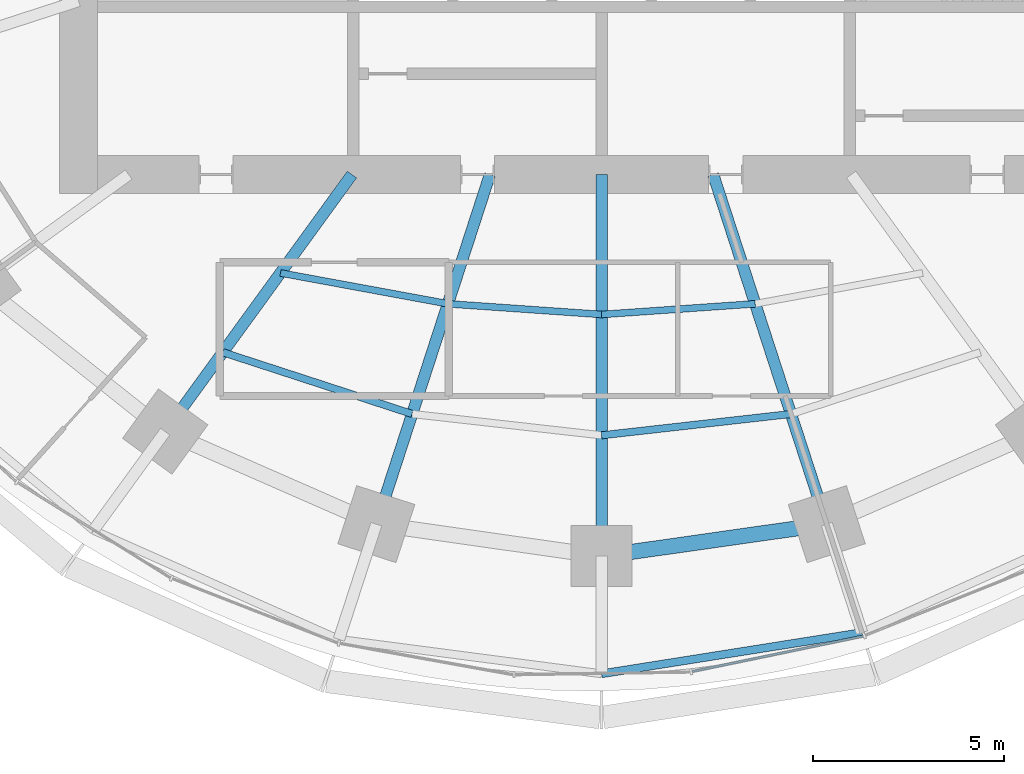
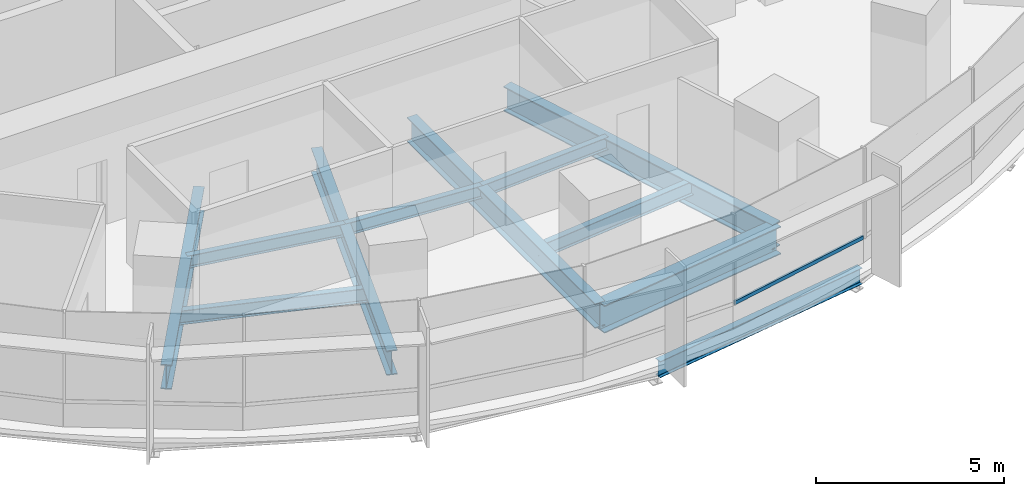
# One storey, part 3 of 14: 11 beams, 1 member, 1 element without a shape of its own.
"""IFC4 building model written with IfcOpenShell, lengths in metres."""

from ifc_helpers import new_model, si_unit, direction, frame, origin, origin_2d, place, context, subcontext, project, spatial, rectangle, i_section, extrude, material, material_profile, profile_set, type_object, element, aggregate, save


model = new_model("IFC4")

# Units and contexts
model_context = context("Model", 3, precision=1e-05, world=origin(), true_north=direction((0.0, 1.0)))
body_context = subcontext(model_context, "Body", "Model", "MODEL_VIEW")
ifc_project = project(units=[si_unit("LENGTHUNIT", "METRE"), si_unit("AREAUNIT", "SQUARE_METRE"), si_unit("VOLUMEUNIT", "CUBIC_METRE"), si_unit("PLANEANGLEUNIT", "RADIAN"), si_unit("MASSUNIT", "GRAM", prefix="KILO")], contexts=[model_context])

# Site, building, storey
site_placement = place(None, origin())
site = spatial("IfcSite", under=ifc_project, at=site_placement, CompositionType="ELEMENT")
building_placement = place(site_placement, origin())
building = spatial("IfcBuilding", under=site, at=building_placement, Name="Marramba Exchange Tower", CompositionType="ELEMENT")
storey_placement = place(building_placement, frame((0.0, 0.0, 104.10009765625)))
storey = spatial("IfcBuildingStorey", under=building, at=storey_placement, Name="L24", CompositionType="ELEMENT", Elevation=104.10009765625)

# Beams
ifc_material_1 = material(Name="Steel AS/NZS 3679.1 grade 300", Category="steel")
ifc_material_profile_1 = material_profile(ifc_material_1, i_section(OverallWidth=0.177978515625, OverallDepth=0.406005859375, WebThickness=0.0078125, FlangeThickness=0.0126953125, FilletRadius=0.011474609375, at=origin_2d()), Name="410UB59.7")
ifc_profile_set_1 = profile_set([ifc_material_profile_1], Name="Steel AS/NZS 3679.1 grade 300")
beam_type_1 = type_object("IfcBeamType", Name="Floor joist 410UB59.7", PredefinedType="JOIST", material=ifc_profile_set_1)
beam_1_placement = place(storey_placement, frame((-8.41162109375, -11.57763671875, -0.363037109375), z_axis=(0.983455754421, -0.181148500119, 0.0), x_axis=(0.181148500119, 0.983455754421, 0.0)))
element("IfcBeam", 1, at=beam_1_placement, inside=storey, type_object=beam_type_1, Name="Joist L24 bay 14 row 1", PredefinedType="JOIST", context=body_context, shape_type="SweptSolid", body=[
    extrude(i_section(OverallWidth=0.177978515625, OverallDepth=0.406005859375, WebThickness=0.0078125, FlangeThickness=0.0126953125, FilletRadius=0.011474609375, at=origin_2d()), origin(), (0.0, 0.0, 1.0), 4.4609375),
])
for number, where, z_axis, x_axis, name in (
    (2, (-4.0244140625, -12.3857421875, -0.363037109375), (0.99759625901, -0.069294328838, 0.0), (0.069294328838, 0.99759625901, 0.0), "Joist L24 bay 15 row 1"),
    (3, (0.0, -12.665283203125, -0.363037109375), (0.99759625901, 0.069294328838, 0.0), (-0.069294328838, 0.99759625901, 0.0), "Joist L24 bay 16 row 1"),
):
    element("IfcBeam", number, at=place(storey_placement, frame(where, z_axis=z_axis, x_axis=x_axis)), inside=storey, type_object=beam_type_1, Name=name, PredefinedType="JOIST", context=body_context, shape_type="SweptSolid", body=[
        extrude(i_section(OverallWidth=0.177978515625, OverallDepth=0.406005859375, WebThickness=0.0078125, FlangeThickness=0.0126953125, FilletRadius=0.011474609375, at=origin_2d()), origin(), (0.0, 0.0, 1.0), 4.0341796875),
    ])
ifc_material_profile_2 = material_profile(ifc_material_1, i_section(OverallWidth=0.18994140625, OverallDepth=0.4541015625, WebThickness=0.008544921875, FlangeThickness=0.0126953125, FilletRadius=0.011474609375, at=origin_2d()), Name="460UB67.1")
ifc_profile_set_2 = profile_set([ifc_material_profile_2], Name="Steel AS/NZS 3679.1 grade 300")
beam_type_2 = type_object("IfcBeamType", Name="Floor joist 460UB67.1", PredefinedType="JOIST", material=ifc_profile_set_2)
beam_2_placement = place(storey_placement, frame((-9.9208984375, -13.655029296875, -0.38720703125), z_axis=(0.950764024931, -0.309915744834, 0.0), x_axis=(0.309915744834, 0.950764024931, 0.0)))
element("IfcBeam", 4, at=beam_2_placement, inside=storey, type_object=beam_type_2, Name="Joist L24 bay 14 row 2", PredefinedType="JOIST", context=body_context, shape_type="SweptSolid", body=[
    extrude(i_section(OverallWidth=0.18994140625, OverallDepth=0.4541015625, WebThickness=0.008544921875, FlangeThickness=0.0126953125, FilletRadius=0.011474609375, at=origin_2d()), origin(), (0.0, 0.0, 1.0), 5.2158203125),
])
beam_3_placement = place(storey_placement, frame((0.0, -15.83056640625, -0.38720703125), z_axis=(0.993712018573, 0.111966174106, 0.0), x_axis=(-0.111966174106, 0.993712018573, 0.0)))
element("IfcBeam", 5, at=beam_3_placement, inside=storey, type_object=beam_type_2, Name="Joist L24 bay 16 row 2", PredefinedType="JOIST", context=body_context, shape_type="SweptSolid", body=[
    extrude(i_section(OverallWidth=0.18994140625, OverallDepth=0.4541015625, WebThickness=0.008544921875, FlangeThickness=0.0126953125, FilletRadius=0.011474609375, at=origin_2d()), origin(), (0.0, 0.0, 1.0), 4.993408203125),
])

# Curtain wall, member
ifc_material_2 = material(Name="Aluminium framing, bronze anodised", Category="aluminium")
curtain_wall_type = type_object("IfcCurtainWallType", Name="Office ribbon curtain wall", PredefinedType="USERDEFINED", material=ifc_material_2)
curtain_wall_placement = place(storey_placement, origin())
curtain_wall = element("IfcCurtainWall", 6, at=curtain_wall_placement, inside=storey, type_object=curtain_wall_type, Name="Curtain wall CW4 L24 F21-F25", ObjectType="RIBBON CURTAIN WALL", PredefinedType="USERDEFINED")
ifc_material_3 = material(Name="Aluminium transom, bronze anodised", Category="aluminium")
ifc_material_profile_3 = material_profile(ifc_material_3, rectangle(XDim=0.06005859375, YDim=0.1201171875, at=origin_2d()), Name="CW4 transom 60x120")
ifc_profile_set_3 = profile_set([ifc_material_profile_3], Name="Aluminium transom, bronze anodised")
member_type = type_object("IfcMemberType", Name="Office ribbon curtain wall transom", PredefinedType="USERDEFINED", material=ifc_profile_set_3)
member_placement = place(storey_placement, frame((2.374267578125, -22.017822265625, 0.829833984375), z_axis=(0.979310422034, 0.202363774661, 0.0), x_axis=(-0.202363774661, 0.979310422034, 0.0)))
member = element("IfcMember", 7, at=member_placement, type_object=member_type, Name="CW4 sill transom", ObjectType="TRANSOM", PredefinedType="USERDEFINED", context=body_context, shape_type="SweptSolid", body=[
    extrude(rectangle(XDim=0.06005859375, YDim=0.1201171875, at=origin_2d()), origin(), (0.0, 0.0, 1.0), 4.57373046875),
])
aggregate(curtain_wall, [member])

# Beams
ifc_material_4 = material(Name="Steel AS/NZS 3679.2 grade 300", Category="steel")
ifc_material_profile_4 = material_profile(ifc_material_4, i_section(OverallWidth=0.300048828125, OverallDepth=0.800048828125, WebThickness=0.013916015625, FlangeThickness=0.031982421875, at=origin_2d()), Name="800WB192")
ifc_profile_set_4 = profile_set([ifc_material_profile_4], Name="Steel AS/NZS 3679.2 grade 300")
beam_type_3 = type_object("IfcBeamType", Name="Radial girder 800WB192", PredefinedType="BEAM", material=ifc_profile_set_4)
beam_4_placement = place(storey_placement, frame((-6.538818359375, -9.0, -0.56005859375), z_axis=(-0.587787877172, -0.809015087282, 0.0), x_axis=(0.809015087282, -0.587787877172, 0.0)))
element("IfcBeam", 8, at=beam_4_placement, inside=storey, type_object=beam_type_3, Name="Radial girder L24 TC14", PredefinedType="BEAM", context=body_context, shape_type="SweptSolid", body=[
    extrude(i_section(OverallWidth=0.300048828125, OverallDepth=0.800048828125, WebThickness=0.013916015625, FlangeThickness=0.031982421875, at=origin_2d()), origin(), (0.0, 0.0, 1.0), 8.322021484375),
])
beam_5_placement = place(storey_placement, frame((-2.92431640625, -9.0, -0.56005859375), z_axis=(-0.309022428985, -0.951054750466, 0.0), x_axis=(0.951054750466, -0.309022428985, 0.0)))
element("IfcBeam", 9, at=beam_5_placement, inside=storey, type_object=beam_type_3, Name="Radial girder L24 TC15", PredefinedType="BEAM", context=body_context, shape_type="SweptSolid", body=[
    extrude(i_section(OverallWidth=0.300048828125, OverallDepth=0.800048828125, WebThickness=0.013916015625, FlangeThickness=0.031982421875, at=origin_2d()), origin(), (0.0, 0.0, 1.0), 9.628173828125),
])
beam_6_placement = place(storey_placement, frame((0.0, -9.0, -0.56005859375), z_axis=(0.0, -1.0, 0.0), x_axis=(1.0, 0.0, 0.0)))
element("IfcBeam", 10, at=beam_6_placement, inside=storey, type_object=beam_type_3, Name="Radial girder L24 TC16", PredefinedType="BEAM", context=body_context, shape_type="SweptSolid", body=[
    extrude(i_section(OverallWidth=0.300048828125, OverallDepth=0.800048828125, WebThickness=0.013916015625, FlangeThickness=0.031982421875, at=origin_2d()), origin(), (0.0, 0.0, 1.0), 9.99609375),
])
beam_7_placement = place(storey_placement, frame((2.92431640625, -9.0, -0.56005859375), z_axis=(0.309022428985, -0.951054750466, 0.0), x_axis=(0.951054750466, 0.309022428985, 0.0)))
element("IfcBeam", 11, at=beam_7_placement, inside=storey, type_object=beam_type_3, Name="Radial girder L24 TC17", PredefinedType="BEAM", context=body_context, shape_type="SweptSolid", body=[
    extrude(i_section(OverallWidth=0.300048828125, OverallDepth=0.800048828125, WebThickness=0.013916015625, FlangeThickness=0.031982421875, at=origin_2d()), origin(), (0.0, 0.0, 1.0), 9.628173828125),
])
ifc_material_profile_5 = material_profile(ifc_material_4, i_section(OverallWidth=0.39990234375, OverallDepth=0.89990234375, WebThickness=0.01611328125, FlangeThickness=0.031982421875, at=origin_2d()), Name="900WB282")
ifc_profile_set_5 = profile_set([ifc_material_profile_5], Name="Steel AS/NZS 3679.2 grade 300")
beam_type_4 = type_object("IfcBeamType", Name="Ring beam 900WB282", PredefinedType="SPANDREL", material=ifc_profile_set_5)
beam_8_placement = place(storey_placement, frame((0.0, -18.99609375, -0.610107421875), z_axis=(0.990036163016, 0.140813337152, 0.0), x_axis=(-0.140813337152, 0.990036163016, 0.0)))
element("IfcBeam", 12, at=beam_8_placement, inside=storey, type_object=beam_type_4, Name="Ring beam L24 TC16-TC17", PredefinedType="SPANDREL", context=body_context, shape_type="SweptSolid", body=[
    extrude(i_section(OverallWidth=0.39990234375, OverallDepth=0.89990234375, WebThickness=0.01611328125, FlangeThickness=0.031982421875, at=origin_2d()), origin(), (0.0, 0.0, 1.0), 5.958984375),
])
ifc_material_profile_6 = material_profile(ifc_material_1, i_section(OverallWidth=0.208984375, OverallDepth=0.528076171875, WebThickness=0.009521484375, FlangeThickness=0.01318359375, FilletRadius=0.013916015625, at=origin_2d()), Name="530UB82.0")
ifc_profile_set_6 = profile_set([ifc_material_profile_6], Name="Steel AS/NZS 3679.1 grade 300")
beam_type_5 = type_object("IfcBeamType", Name="Slab edge beam 530UB82.0", PredefinedType="SPANDREL", material=ifc_profile_set_6)
beam_9_placement = place(storey_placement, frame((0.0, -22.076904296875, -0.424072265625), z_axis=(0.987705008555, 0.15632919137, 0.0), x_axis=(-0.15632919137, 0.987705008555, 0.0)))
element("IfcBeam", 13, at=beam_9_placement, inside=storey, type_object=beam_type_5, Name="Slab edge beam L24 TC16-TC17", PredefinedType="SPANDREL", context=body_context, shape_type="SweptSolid", body=[
    extrude(i_section(OverallWidth=0.208984375, OverallDepth=0.528076171875, WebThickness=0.009521484375, FlangeThickness=0.01318359375, FilletRadius=0.013916015625, at=origin_2d()), origin(), (0.0, 0.0, 1.0), 6.907470703125),
])

save(model, "model.ifc")
